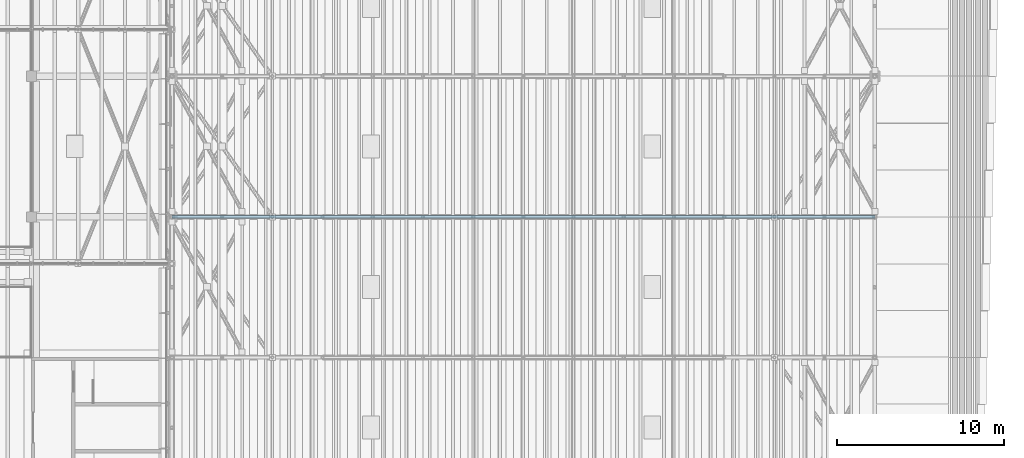
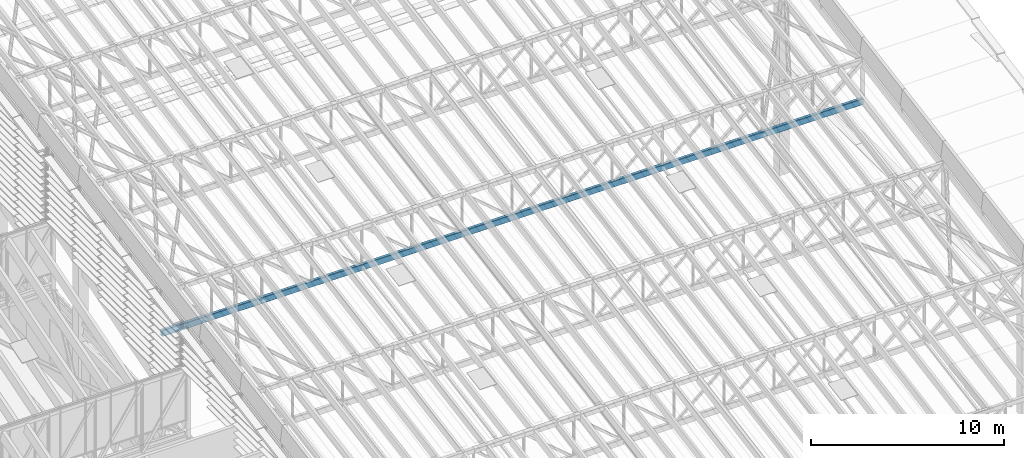
# One storey, part 26 of 91: 1 member.
"""IFC4 building model written with IfcOpenShell, lengths in metres."""

from ifc_helpers import new_model, si_unit, direction, frame, origin, origin_2d, place, context, subcontext, project, spatial, hollow_rectangle, extrude, material, material_profile, profile_set, type_object, element, save


model = new_model("IFC4")

# Units and contexts
model_context = context("Model", 3, precision=1e-05, world=origin(), true_north=direction((0.0, 1.0)))
body_context = subcontext(model_context, "Body", "Model", "MODEL_VIEW")
ifc_project = project(units=[si_unit("LENGTHUNIT", "METRE"), si_unit("AREAUNIT", "SQUARE_METRE"), si_unit("VOLUMEUNIT", "CUBIC_METRE"), si_unit("PLANEANGLEUNIT", "RADIAN"), si_unit("MASSUNIT", "GRAM", prefix="KILO")], contexts=[model_context])

# Site, building, storey
site_placement = place(None, origin())
site = spatial("IfcSite", under=ifc_project, at=site_placement, CompositionType="ELEMENT")
building_placement = place(site_placement, origin())
building = spatial("IfcBuilding", under=site, at=building_placement, Name="Almond Square Museum", CompositionType="ELEMENT")
storey_placement = place(building_placement, frame((0.0, 0.0, 30.0)))
storey = spatial("IfcBuildingStorey", under=building, at=storey_placement, Name="L05", CompositionType="ELEMENT", Elevation=30.0)

# Member
ifc_material = material(Name="Structural steel S355", Category="steel")
ifc_material_profile = material_profile(ifc_material, hollow_rectangle(XDim=0.199951171875, YDim=0.39990234375, WallThickness=0.012451171875, InnerFilletRadius=0.02490234375, OuterFilletRadius=0.03759765625, at=origin_2d()))
ifc_profile_set = profile_set([ifc_material_profile], Name="Structural steel S355")
member_type = type_object("IfcMemberType", Name="Truss chord RHS 400x200x12.5", PredefinedType="CHORD", material=ifc_profile_set)
member_placement = place(storey_placement, frame((106.800048828125, 84.0, 9.580078125), z_axis=(1.0, 0.0, 0.0), x_axis=(0.0, 1.0, 0.0)))
element("IfcMember", 1, at=member_placement, inside=storey, type_object=member_type, Name="TR-05 bottom chord 1 to 14", PredefinedType="CHORD", context=body_context, shape_type="SweptSolid", body=[
    extrude(hollow_rectangle(XDim=0.199951171875, YDim=0.39990234375, WallThickness=0.012451171875, InnerFilletRadius=0.02490234375, OuterFilletRadius=0.03759765625, at=origin_2d()), origin(), (0.0, 0.0, 1.0), 42.0),
])

save(model, "model.ifc")
